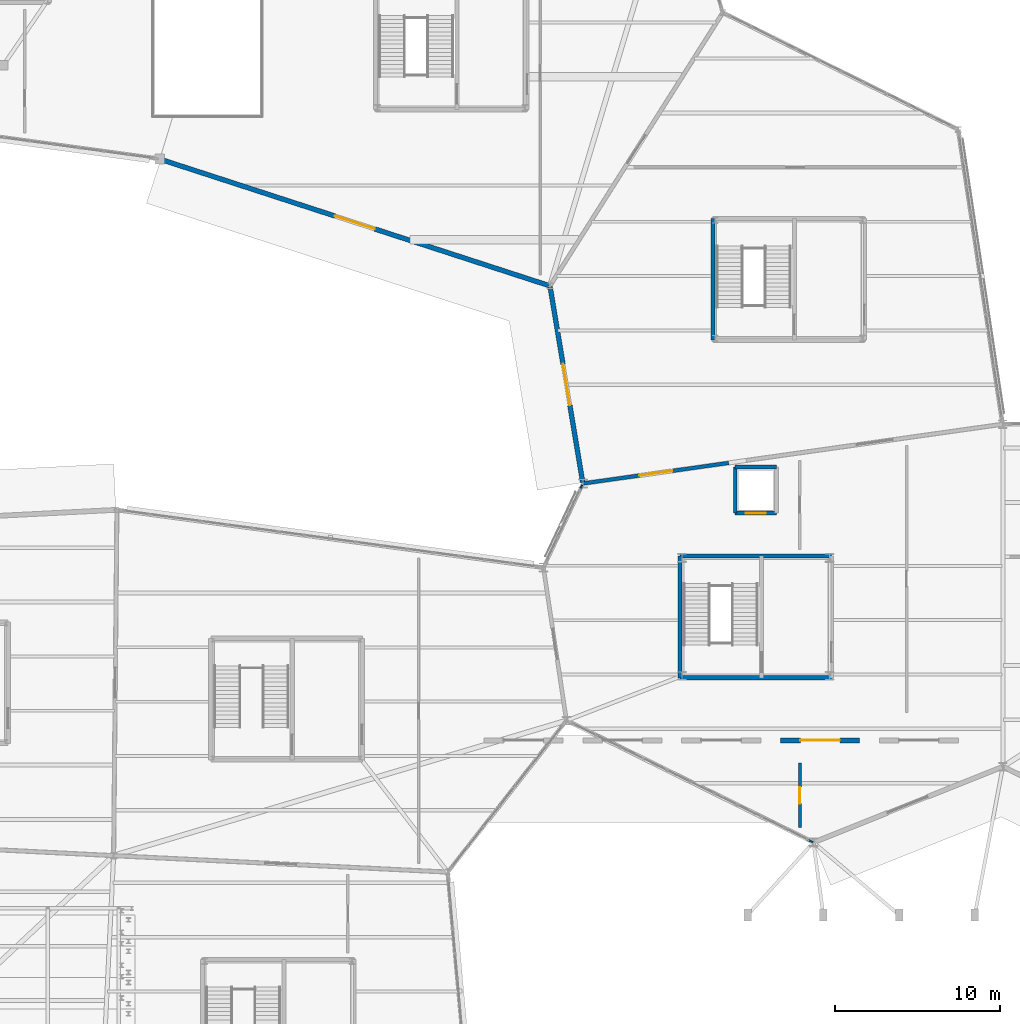
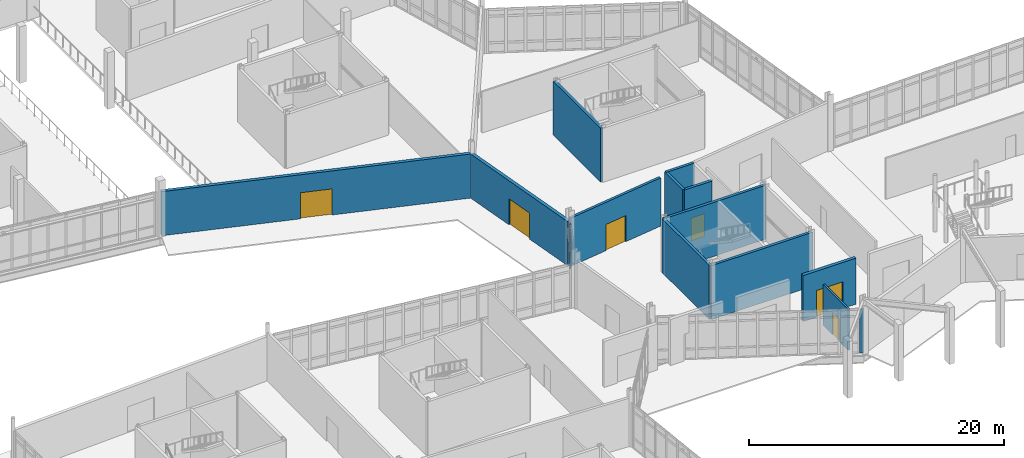
# One storey, part 88 of 113: 14 walls, 6 doors, 6 openings.
"""IFC4 building model written with IfcOpenShell, lengths in metres."""

from ifc_helpers import new_model, si_unit, direction, frame, frame_2d, origin, place, context, subcontext, project, spatial, rectangle, extrude, material, layer, layer_set, type_object, element, fill, save


model = new_model("IFC4")

# Units and contexts
model_context = context("Model", 3, precision=1e-05, world=origin(), true_north=direction((0.0, 1.0)))
body_context = subcontext(model_context, "Body", "Model", "MODEL_VIEW")
ifc_project = project(units=[si_unit("LENGTHUNIT", "METRE"), si_unit("AREAUNIT", "SQUARE_METRE"), si_unit("VOLUMEUNIT", "CUBIC_METRE"), si_unit("PLANEANGLEUNIT", "RADIAN"), si_unit("MASSUNIT", "GRAM", prefix="KILO")], contexts=[model_context])

# Site, building, storey
site_placement = place(None, origin())
site = spatial("IfcSite", under=ifc_project, at=site_placement, CompositionType="ELEMENT")
building_placement = place(site_placement, origin())
building = spatial("IfcBuilding", under=site, at=building_placement, Name="Tameran Prism Museum", CompositionType="ELEMENT")
storey_placement = place(building_placement, origin())
storey = spatial("IfcBuildingStorey", under=building, at=storey_placement, Name="L00", CompositionType="ELEMENT", Elevation=0.0)

# Walls
ifc_material_1 = material(Name="Precast Concrete N40 (40 MPa)", Category="concrete")
ifc_layer_1 = layer(ifc_material_1, 0.094970703125)
ifc_layer_set_1 = layer_set([ifc_layer_1])
wall_type_1 = type_object("IfcWallType", Name="EW-CLOS-095", PredefinedType="SOLIDWALL", material=ifc_layer_set_1)
wall_1_placement = place(storey_placement, frame((65.9619140625, 22.819091796875, 0.0), z_axis=(0.0, 0.0, 1.0), x_axis=(-0.896952807524, 0.44212629539, 0.0)))
element("IfcWall", 1, at=wall_1_placement, inside=storey, type_object=wall_type_1, Name="Facade Corner Closure EW-0087", PredefinedType="SOLIDWALL", context=body_context, shape_type="SweptSolid", body=[
    extrude(rectangle(XDim=0.3076171875, YDim=0.094970703125, at=frame_2d((0.15380859375, 0.0))), origin(), (0.0, 0.0, 1.0), 4.219970703125),
])
wall_2_placement = place(storey_placement, frame((51.824951171875, 44.22900390625, 0.0), z_axis=(0.0, 0.0, 1.0), x_axis=(0.425224932958, 0.905087706463, 0.0)))
element("IfcWall", 2, at=wall_2_placement, inside=storey, type_object=wall_type_1, Name="Facade Corner Closure EW-0091", PredefinedType="SOLIDWALL", context=body_context, shape_type="SweptSolid", body=[
    extrude(rectangle(XDim=0.308349609375, YDim=0.094970703125, at=frame_2d((0.154296875, 0.0))), origin(), (0.0, 0.0, 1.0), 4.219970703125),
])

# Wall, opening, door
ifc_material_2 = material(Name="Precast Concrete N40 (40 MPa)", Category="concrete")
ifc_layer_2 = layer(ifc_material_2, 0.2900390625)
ifc_layer_set_2 = layer_set([ifc_layer_2])
wall_type_2 = type_object("IfcWallType", Name="EW-FOY-290", PredefinedType="SOLIDWALL", material=ifc_layer_set_2)
wall_3_placement = place(storey_placement, frame((51.989990234375, 44.658935546875, 0.0), z_axis=(0.0, 0.0, 1.0), x_axis=(-0.16436940764, 0.986398853321, 0.0)))
wall_3 = element("IfcWall", 3, at=wall_3_placement, inside=storey, type_object=wall_type_2, Name="Exterior Fluted Precast Wall EW-0099", PredefinedType="SOLIDWALL", context=body_context, shape_type="SweptSolid", body=[
    extrude(rectangle(XDim=12.0458984375, YDim=0.2900390625, at=frame_2d((6.02294921875, 0.0))), origin(), (0.0, 0.0, 1.0), 4.219970703125),
])
opening_1_placement = place(wall_3_placement, frame((4.748046875, 0.0, 0.0)))
opening_1 = element("IfcOpeningElement", 4, at=opening_1_placement, cuts=wall_3, Name="Opening ED-07", PredefinedType="OPENING", context=body_context, shape_type="SweptSolid", body=[
    extrude(rectangle(XDim=2.550048828125, YDim=2.5, at=frame_2d((1.27490234375, 1.25))), frame((0.0, 0.155029296875, 0.0), z_axis=(0.0, -1.0, 0.0), x_axis=(1.0, 0.0, 0.0)), (0.0, 0.0, 1.0), 0.31005859375),
])
ifc_material_3 = material(Name="Cyclone-Rated Anodised Aluminium 6063-T6 and Laminated Glass", Category="aluminium")
door_type_1 = type_object("IfcDoorType", Name="DR-EXT-230", OperationType="DOUBLE_DOOR_SINGLE_SWING", PredefinedType="DOOR", material=ifc_material_3)
door_1_placement = place(opening_1_placement, origin())
door_1 = element("IfcDoor", 5, at=door_1_placement, inside=storey, type_object=door_type_1, Name="Final Exit Double Door ED-07", OperationType="DOUBLE_DOOR_SINGLE_SWING", OverallHeight=2.5, OverallWidth=2.550048828125, PredefinedType="DOOR", context=body_context, shape_type="SweptSolid", body=[
    extrude(rectangle(XDim=2.550048828125, YDim=2.5, at=frame_2d((1.27490234375, 1.25))), frame((0.0, 0.02490234375, 0.0), z_axis=(0.0, -1.0, 0.0), x_axis=(1.0, 0.0, 0.0)), (0.0, 0.0, 1.0), 0.050048828125),
])
fill(opening_1, door_1)

wall_4_placement = place(storey_placement, frame((49.943115234375, 56.618896484375, 0.0), z_axis=(0.0, 0.0, 1.0), x_axis=(-0.951074357174, 0.308962080402, 0.0)))
wall_4 = element("IfcWall", 6, at=wall_4_placement, inside=storey, type_object=wall_type_2, Name="Exterior Fluted Precast Wall EW-0145", PredefinedType="SOLIDWALL", context=body_context, shape_type="SweptSolid", body=[
    extrude(rectangle(XDim=24.799560546875, YDim=0.2900390625, at=frame_2d((12.39990234375, 0.0))), origin(), (0.0, 0.0, 1.0), 4.219970703125),
])
opening_2_placement = place(wall_4_placement, frame((11.1240234375, 0.0, 0.0)))
opening_2 = element("IfcOpeningElement", 7, at=opening_2_placement, cuts=wall_4, Name="Opening ED-13", PredefinedType="OPENING", context=body_context, shape_type="SweptSolid", body=[
    extrude(rectangle(XDim=2.550048828125, YDim=2.5, at=frame_2d((1.27490234375, 1.25))), frame((0.0, 0.155029296875, 0.0), z_axis=(0.0, -1.0, 0.0), x_axis=(1.0, 0.0, 0.0)), (0.0, 0.0, 1.0), 0.31005859375),
])
door_2_placement = place(opening_2_placement, origin())
door_2 = element("IfcDoor", 8, at=door_2_placement, inside=storey, type_object=door_type_1, Name="Final Exit Double Door ED-13", OperationType="DOUBLE_DOOR_SINGLE_SWING", OverallHeight=2.5, OverallWidth=2.550048828125, PredefinedType="DOOR", context=body_context, shape_type="SweptSolid", body=[
    extrude(rectangle(XDim=2.550048828125, YDim=2.5, at=frame_2d((1.27490234375, 1.25))), frame((0.0, 0.02490234375, 0.0), z_axis=(0.0, -1.0, 0.0), x_axis=(1.0, 0.0, 0.0)), (0.0, 0.0, 1.0), 0.050048828125),
])
fill(opening_2, door_2)

wall_5_placement = place(storey_placement, frame((68.800048828125, 29.0, 0.0), z_axis=(0.0, 0.0, 1.0), x_axis=(-1.0, 0.0, 0.0)))
wall_5 = element("IfcWall", 9, at=wall_5_placement, inside=storey, type_object=wall_type_2, Name="Entrance Portal Wall EW-0474", PredefinedType="SOLIDWALL", context=body_context, shape_type="SweptSolid", body=[
    extrude(rectangle(XDim=4.800048828125, YDim=0.2900390625, at=frame_2d((2.39990234375, 0.0))), origin(), (0.0, 0.0, 1.0), 4.39990234375),
])
opening_3_placement = place(wall_5_placement, frame((1.199951171875, 0.0, 0.0)))
opening_3 = element("IfcOpeningElement", 10, at=opening_3_placement, cuts=wall_5, Name="Opening ED-27", PredefinedType="OPENING", context=body_context, shape_type="SweptSolid", body=[
    extrude(rectangle(XDim=2.39990234375, YDim=2.550048828125, at=frame_2d((1.199951171875, 1.27490234375))), frame((0.0, 0.155029296875, 0.0), z_axis=(0.0, -1.0, 0.0), x_axis=(1.0, 0.0, 0.0)), (0.0, 0.0, 1.0), 0.31005859375),
])
ifc_material_4 = material(Name="Cyclone-Rated Anodised Aluminium 6063-T6 and Laminated Glass", Category="aluminium")
door_type_2 = type_object("IfcDoorType", Name="DR-EXT-240", OperationType="DOUBLE_DOOR_SINGLE_SWING", PredefinedType="DOOR", material=ifc_material_4)
door_3_placement = place(opening_3_placement, origin())
door_3 = element("IfcDoor", 11, at=door_3_placement, inside=storey, type_object=door_type_2, Name="Final Exit Double Door ED-27", OperationType="DOUBLE_DOOR_SINGLE_SWING", OverallHeight=2.550048828125, OverallWidth=2.39990234375, PredefinedType="DOOR", context=body_context, shape_type="SweptSolid", body=[
    extrude(rectangle(XDim=2.39990234375, YDim=2.550048828125, at=frame_2d((1.199951171875, 1.27490234375))), frame((0.0, 0.02490234375, 0.0), z_axis=(0.0, -1.0, 0.0), x_axis=(1.0, 0.0, 0.0)), (0.0, 0.0, 1.0), 0.050048828125),
])
fill(opening_3, door_3)

ifc_material_5 = material(Name="Concrete N40 (40 MPa)", Category="concrete")
ifc_layer_3 = layer(ifc_material_5, 0.22509765625)
ifc_layer_set_3 = layer_set([ifc_layer_3])
wall_type_3 = type_object("IfcWallType", Name="IW-CMP-225", PredefinedType="SOLIDWALL", material=ifc_layer_set_3)
wall_6_placement = place(storey_placement, frame((60.85009765625, 45.84912109375, 0.0), z_axis=(0.0, 0.0, 1.0), x_axis=(-0.990187360524, -0.139746166523, 0.0)))
wall_6 = element("IfcWall", 12, at=wall_6_placement, inside=storey, type_object=wall_type_3, Name="Compartment Wall IW-0035", PredefinedType="SOLIDWALL", context=body_context, shape_type="SweptSolid", body=[
    extrude(rectangle(XDim=8.937744140625, YDim=0.22509765625, at=frame_2d((4.46875, 0.0))), origin(), (0.0, 0.0, 1.0), 4.6201171875),
])
opening_4_placement = place(wall_6_placement, frame((3.468994140625, 0.0, 0.0)))
opening_4 = element("IfcOpeningElement", 13, at=opening_4_placement, cuts=wall_6, Name="Opening ID-0034", PredefinedType="OPENING", context=body_context, shape_type="SweptSolid", body=[
    extrude(rectangle(XDim=2.0, YDim=2.5, at=frame_2d((1.0, 1.25))), frame((0.0, 0.12255859375, 0.0), z_axis=(0.0, -1.0, 0.0), x_axis=(1.0, 0.0, 0.0)), (0.0, 0.0, 1.0), 0.2451171875),
])
ifc_material_6 = material(Name="Fire-Rated Steel Door Leaf and Frame", Category="steel")
door_type_3 = type_object("IfcDoorType", Name="DR-GAL-200", OperationType="DOUBLE_DOOR_SINGLE_SWING", PredefinedType="DOOR", material=ifc_material_6)
door_4_placement = place(opening_4_placement, origin())
door_4 = element("IfcDoor", 14, at=door_4_placement, inside=storey, type_object=door_type_3, Name="Compartment Door ID-0034", OperationType="DOUBLE_DOOR_SINGLE_SWING", OverallHeight=2.5, OverallWidth=2.0, PredefinedType="DOOR", context=body_context, shape_type="SweptSolid", body=[
    extrude(rectangle(XDim=2.0, YDim=2.5, at=frame_2d((1.0, 1.25))), frame((0.0, 0.02490234375, 0.0), z_axis=(0.0, -1.0, 0.0), x_axis=(1.0, 0.0, 0.0)), (0.0, 0.0, 1.0), 0.050048828125),
])
fill(opening_4, door_4)

# Walls
ifc_material_7 = material(Name="Concrete N40 (40 MPa)", Category="concrete")
ifc_layer_4 = layer(ifc_material_7, 0.25)
ifc_layer_set_4 = layer_set([ifc_layer_4])
wall_type_4 = type_object("IfcWallType", Name="IW-COR-250", PredefinedType="SHEAR", material=ifc_layer_set_4)
wall_7_placement = place(storey_placement, frame((57.89990234375, 32.800048828125, 0.0), z_axis=(0.0, 0.0, 1.0), x_axis=(0.0, 1.0, 0.0)))
element("IfcWall", 15, at=wall_7_placement, inside=storey, type_object=wall_type_4, Name="Core Shear Wall CW-3-L00-W", PredefinedType="SHEAR", context=body_context, shape_type="SweptSolid", body=[
    extrude(rectangle(XDim=7.39990234375, YDim=0.25, at=frame_2d((3.699951171875, 0.0))), origin(), (0.0, 0.0, 1.0), 5.159912109375),
])
for number, where, z_axis, x_axis, name in (
    (16, (57.89990234375, 40.199951171875, 0.0), (0.0, 0.0, 1.0), (1.0, 0.0, 0.0), "Core Shear Wall CW-3-L00-N"),
    (17, (67.10009765625, 32.800048828125, 0.0), (0.0, 0.0, 1.0), (-1.0, 0.0, 0.0), "Core Shear Wall CW-3-L00-S"),
):
    element("IfcWall", number, at=place(storey_placement, frame(where, z_axis=z_axis, x_axis=x_axis)), inside=storey, type_object=wall_type_4, Name=name, PredefinedType="SHEAR", context=body_context, shape_type="SweptSolid", body=[
        extrude(rectangle(XDim=9.2001953125, YDim=0.25, at=frame_2d((4.60009765625, 0.0))), origin(), (0.0, 0.0, 1.0), 5.159912109375),
    ])
wall_8_placement = place(storey_placement, frame((59.89990234375, 53.300048828125, 0.0), z_axis=(0.0, 0.0, 1.0), x_axis=(0.0, 1.0, 0.0)))
element("IfcWall", 18, at=wall_8_placement, inside=storey, type_object=wall_type_4, Name="Core Shear Wall CW-8-L00-W", PredefinedType="SHEAR", context=body_context, shape_type="SweptSolid", body=[
    extrude(rectangle(XDim=7.39990234375, YDim=0.25, at=frame_2d((3.699951171875, 0.0))), origin(), (0.0, 0.0, 1.0), 5.159912109375),
])
ifc_material_8 = material(Name="Concrete N40 (40 MPa)", Category="concrete")
ifc_layer_5 = layer(ifc_material_8, 0.239990234375)
ifc_layer_set_5 = layer_set([ifc_layer_5])
wall_type_5 = type_object("IfcWallType", Name="IW-LFT-240", PredefinedType="SHEAR", material=ifc_layer_set_5)
wall_9_placement = place(storey_placement, frame((61.25, 45.60009765625, 0.0), z_axis=(0.0, 0.0, 1.0), x_axis=(1.0, 0.0, 0.0)))
element("IfcWall", 19, at=wall_9_placement, inside=storey, type_object=wall_type_5, Name="Lift Shaft Wall LW-PL01-L00N", PredefinedType="SHEAR", context=body_context, shape_type="SweptSolid", body=[
    extrude(rectangle(XDim=2.5, YDim=0.239990234375, at=frame_2d((1.25, 0.0))), origin(), (0.0, 0.0, 1.0), 5.159912109375),
])
wall_10_placement = place(storey_placement, frame((61.25, 42.800048828125, 0.0), z_axis=(0.0, 0.0, 1.0), x_axis=(0.0, 1.0, 0.0)))
element("IfcWall", 20, at=wall_10_placement, inside=storey, type_object=wall_type_5, Name="Lift Shaft Wall LW-PL01-L00W", PredefinedType="SHEAR", context=body_context, shape_type="SweptSolid", body=[
    extrude(rectangle(XDim=2.800048828125, YDim=0.239990234375, at=frame_2d((1.39990234375, 0.0))), origin(), (0.0, 0.0, 1.0), 5.159912109375),
])

# Wall, opening, door
wall_11_placement = place(storey_placement, frame((63.75, 42.800048828125, 0.0), z_axis=(0.0, 0.0, 1.0), x_axis=(-1.0, 0.0, 0.0)))
wall_11 = element("IfcWall", 21, at=wall_11_placement, inside=storey, type_object=wall_type_5, Name="Lift Shaft Wall LW-PL01-L00S", PredefinedType="SHEAR", context=body_context, shape_type="SweptSolid", body=[
    extrude(rectangle(XDim=2.5, YDim=0.239990234375, at=frame_2d((1.25, 0.0))), origin(), (0.0, 0.0, 1.0), 5.159912109375),
])
opening_5_placement = place(wall_11_placement, frame((0.64990234375, 0.0, 0.0)))
opening_5 = element("IfcOpeningElement", 22, at=opening_5_placement, cuts=wall_11, Name="Opening LD-PL01-L00", PredefinedType="OPENING", context=body_context, shape_type="SweptSolid", body=[
    extrude(rectangle(XDim=1.199951171875, YDim=2.199951171875, at=frame_2d((0.60009765625, 1.10009765625))), frame((0.0, 0.1298828125, 0.0), z_axis=(0.0, -1.0, 0.0), x_axis=(1.0, 0.0, 0.0)), (0.0, 0.0, 1.0), 0.260009765625),
])
ifc_material_9 = material(Name="Fire-Rated Steel Door Leaf and Frame", Category="steel")
door_type_4 = type_object("IfcDoorType", Name="DR-LD-PL1", OperationType="SLIDING_TO_LEFT", PredefinedType="DOOR", material=ifc_material_9)
door_5_placement = place(opening_5_placement, origin())
door_5 = element("IfcDoor", 23, at=door_5_placement, inside=storey, type_object=door_type_4, Name="Passenger Lift PL-01 Landing Door L00", OperationType="SLIDING_TO_LEFT", OverallHeight=2.199951171875, OverallWidth=1.199951171875, PredefinedType="DOOR", context=body_context, shape_type="SweptSolid", body=[
    extrude(rectangle(XDim=1.199951171875, YDim=2.199951171875, at=frame_2d((0.60009765625, 1.10009765625))), frame((0.0, 0.02490234375, 0.0), z_axis=(0.0, -1.0, 0.0), x_axis=(1.0, 0.0, 0.0)), (0.0, 0.0, 1.0), 0.050048828125),
])
fill(opening_5, door_5)

ifc_material_10 = material(Name="Gallery Plywood-Backed Stud Partition", Category="wood")
ifc_layer_6 = layer(ifc_material_10, 0.169921875)
ifc_layer_set_6 = layer_set([ifc_layer_6])
wall_type_6 = type_object("IfcWallType", Name="IW-PRT-170", PredefinedType="PARTITIONING", material=ifc_layer_set_6)
wall_12_placement = place(storey_placement, frame((65.177001953125, 23.7080078125, 0.0), z_axis=(0.0, 0.0, 1.0), x_axis=(0.0, 1.0, 0.0)))
wall_12 = element("IfcWall", 24, at=wall_12_placement, inside=storey, type_object=wall_type_6, Name="Internal Partition PT-0057", PredefinedType="PARTITIONING", context=body_context, shape_type="SweptSolid", body=[
    extrude(rectangle(XDim=3.906982421875, YDim=0.169921875, at=frame_2d((1.95361328125, 0.0))), origin(), (0.0, 0.0, 1.0), 3.919921875),
])
opening_6_placement = place(wall_12_placement, frame((1.4541015625, 0.0, 0.0)))
opening_6 = element("IfcOpeningElement", 25, at=opening_6_placement, cuts=wall_12, Name="Opening ID-0056", PredefinedType="OPENING", context=body_context, shape_type="SweptSolid", body=[
    extrude(rectangle(XDim=1.0, YDim=2.14990234375, at=frame_2d((0.5, 1.074951171875))), frame((0.0, 0.094970703125, 0.0), z_axis=(0.0, -1.0, 0.0), x_axis=(1.0, 0.0, 0.0)), (0.0, 0.0, 1.0), 0.18994140625),
])
ifc_material_11 = material(Name="Acoustic Solid-Core Timber Door", Category="wood")
door_type_5 = type_object("IfcDoorType", Name="DR-INT-100", OperationType="NOTDEFINED", PredefinedType="DOOR", material=ifc_material_11)
door_6_placement = place(opening_6_placement, origin())
door_6 = element("IfcDoor", 26, at=door_6_placement, inside=storey, type_object=door_type_5, Name="Interior Room Door ID-0056", OperationType="SINGLE_SWING_LEFT", OverallHeight=2.14990234375, OverallWidth=1.0, PredefinedType="DOOR", context=body_context, shape_type="SweptSolid", body=[
    extrude(rectangle(XDim=1.0, YDim=2.14990234375, at=frame_2d((0.5, 1.074951171875))), frame((0.0, 0.02490234375, 0.0), z_axis=(0.0, -1.0, 0.0), x_axis=(1.0, 0.0, 0.0)), (0.0, 0.0, 1.0), 0.050048828125),
])
fill(opening_6, door_6)

save(model, "model.ifc")
